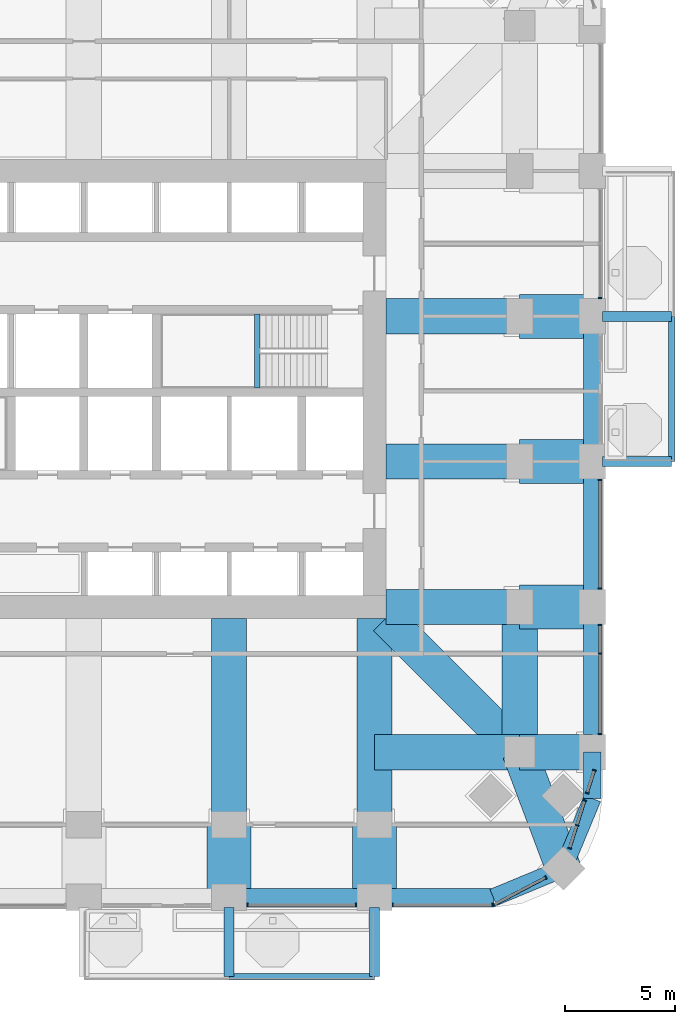
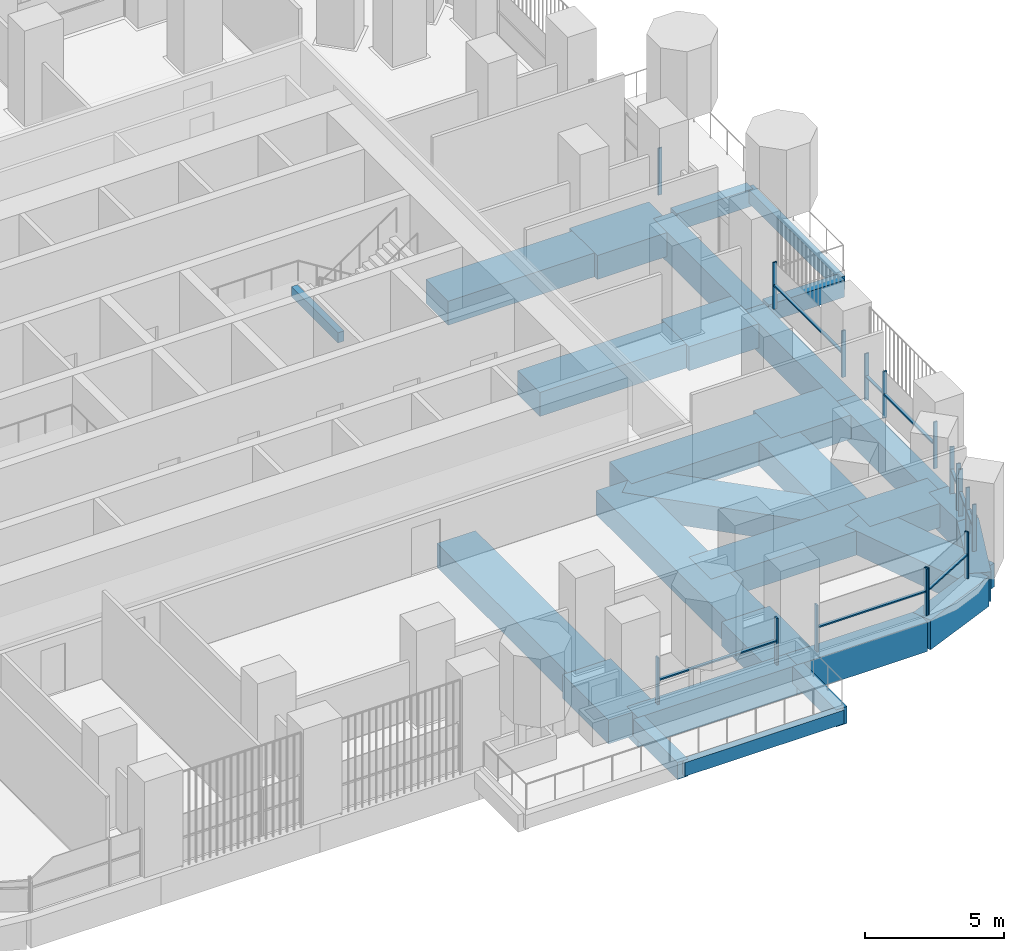
# One storey, part 5 of 22: 30 beams, 26 members, 8 elements without a shape of their own.
"""IFC4 building model written with IfcOpenShell, lengths in metres."""

from ifc_helpers import new_model, si_unit, direction, frame, origin, origin_2d, place, context, subcontext, project, spatial, rectangle, extrude, material, material_profile, profile_set, type_object, element, aggregate, save


model = new_model("IFC4")

# Units and contexts
model_context = context("Model", 3, precision=1e-05, world=origin(), true_north=direction((0.0, 1.0)))
body_context = subcontext(model_context, "Body", "Model", "MODEL_VIEW")
ifc_project = project(units=[si_unit("LENGTHUNIT", "METRE"), si_unit("AREAUNIT", "SQUARE_METRE"), si_unit("VOLUMEUNIT", "CUBIC_METRE"), si_unit("PLANEANGLEUNIT", "RADIAN"), si_unit("MASSUNIT", "GRAM", prefix="KILO")], contexts=[model_context])

# Site, building, storey
site_placement = place(None, origin())
site = spatial("IfcSite", under=ifc_project, at=site_placement, CompositionType="ELEMENT")
building_placement = place(site_placement, origin())
building = spatial("IfcBuilding", under=site, at=building_placement, Name="Cobogo Forest Laboratory Tower", CompositionType="ELEMENT")
storey_placement = place(building_placement, frame((0.0, 0.0, 145.199951171875)))
storey = spatial("IfcBuildingStorey", under=building, at=storey_placement, Name="L33", CompositionType="ELEMENT", Elevation=145.199951171875)

# Beams
ifc_material_1 = material(Name="Concrete HA-40 (C40/50)", Category="concrete")
ifc_material_profile_1 = material_profile(ifc_material_1, rectangle(XDim=0.449951171875, YDim=0.75, at=origin_2d()), Name="RC 450x750")
ifc_profile_set_1 = profile_set([ifc_material_profile_1], Name="Concrete HA-40 (C40/50)")
beam_type_1 = type_object("IfcBeamType", Name="Balcony cantilever beam 450x750", PredefinedType="BEAM", material=ifc_profile_set_1)
for number, where, z_axis, x_axis, name in (
    (1, (33.0, -0.449951171875, -0.625), (0.0, -1.0, 0.0), (1.0, 0.0, 0.0), "CB1 BAL-S1-C2 L33"),
    (2, (39.60009765625, -0.449951171875, -0.625), (0.0, -1.0, 0.0), (1.0, 0.0, 0.0), "CB1 BAL-S1-C3 L33"),
    (3, (49.949951171875, 19.800048828125, -0.625), (1.0, 0.0, 0.0), (0.0, 1.0, 0.0), "CB1 BAL-E1-C1 L33"),
    (4, (49.949951171875, 26.39990234375, -0.625), (1.0, 0.0, 0.0), (0.0, 1.0, 0.0), "CB1 BAL-E1-C2 L33"),
):
    element("IfcBeam", number, at=place(storey_placement, frame(where, z_axis=z_axis, x_axis=x_axis)), inside=storey, type_object=beam_type_1, Name=name, PredefinedType="BEAM", context=body_context, shape_type="SweptSolid", body=[
        extrude(rectangle(XDim=0.449951171875, YDim=0.75, at=origin_2d()), origin(), (0.0, 0.0, 1.0), 3.150146484375),
    ])
ifc_material_profile_2 = material_profile(ifc_material_1, rectangle(XDim=0.300048828125, YDim=0.60009765625, at=origin_2d()), Name="RC 300x600")
ifc_profile_set_2 = profile_set([ifc_material_profile_2], Name="Concrete HA-40 (C40/50)")
beam_type_2 = type_object("IfcBeamType", Name="Balcony edge beam 300x600", PredefinedType="BEAM", material=ifc_profile_set_2)
beam_1_placement = place(storey_placement, frame((33.0, -3.60009765625, -0.550048828125), z_axis=(1.0, 0.0, 0.0), x_axis=(0.0, 1.0, 0.0)))
element("IfcBeam", 5, at=beam_1_placement, inside=storey, type_object=beam_type_2, Name="BB1 BAL-S1-T2 L33", PredefinedType="BEAM", context=body_context, shape_type="SweptSolid", body=[
    extrude(rectangle(XDim=0.300048828125, YDim=0.60009765625, at=origin_2d()), origin(), (0.0, 0.0, 1.0), 6.60009765625),
])
beam_2_placement = place(storey_placement, frame((53.10009765625, 19.800048828125, -0.550048828125), z_axis=(0.0, 1.0, 0.0), x_axis=(-1.0, 0.0, 0.0)))
element("IfcBeam", 6, at=beam_2_placement, inside=storey, type_object=beam_type_2, Name="BB1 BAL-E1-T1 L33", PredefinedType="BEAM", context=body_context, shape_type="SweptSolid", body=[
    extrude(rectangle(XDim=0.300048828125, YDim=0.60009765625, at=origin_2d()), origin(), (0.0, 0.0, 1.0), 6.599853515625),
])
ifc_material_2 = material(Name="Concrete HA-50 (C50/60)", Category="concrete")
ifc_material_profile_3 = material_profile(ifc_material_2, rectangle(XDim=2.0, YDim=1.050048828125, at=origin_2d()), Name="RC 2000x1050")
ifc_profile_set_3 = profile_set([ifc_material_profile_3], Name="Concrete HA-50 (C50/60)")
beam_type_3 = type_object("IfcBeamType", Name="End-bay wide beam 2000x1050", PredefinedType="BEAM", material=ifc_profile_set_3)
for number, where, z_axis, x_axis, name in (
    (7, (33.0, 0.0, -0.824951171875), (0.0, 1.0, 0.0), (-1.0, 0.0, 0.0), "RB7 R-6-S-X L33"),
    (8, (39.60009765625, 0.0, -0.824951171875), (0.0, 1.0, 0.0), (-1.0, 0.0, 0.0), "RB7 R-7-S-X L33"),
    (9, (49.5, 13.199951171875, -0.824951171875), (-1.0, 0.0, 0.0), (0.0, -1.0, 0.0), "RB7 R-C-E-X L33"),
    (10, (49.5, 19.800048828125, -0.824951171875), (-1.0, 0.0, 0.0), (0.0, -1.0, 0.0), "RB7 R-D-E-X L33"),
    (11, (49.5, 26.39990234375, -0.824951171875), (-1.0, 0.0, 0.0), (0.0, -1.0, 0.0), "RB7 R-E-E-X L33"),
):
    element("IfcBeam", number, at=place(storey_placement, frame(where, z_axis=z_axis, x_axis=x_axis)), inside=storey, type_object=beam_type_3, Name=name, PredefinedType="BEAM", context=body_context, shape_type="SweptSolid", body=[
        extrude(rectangle(XDim=2.0, YDim=1.050048828125, at=origin_2d()), origin(), (0.0, 0.0, 1.0), 3.300048828125),
    ])
ifc_material_profile_4 = material_profile(ifc_material_1, rectangle(XDim=0.25, YDim=0.449951171875, at=origin_2d()), Name="RC 250x450")
ifc_profile_set_4 = profile_set([ifc_material_profile_4], Name="Concrete HA-40 (C40/50)")
beam_type_4 = type_object("IfcBeamType", Name="LB1 landing beam 250x450", PredefinedType="BEAM", material=ifc_profile_set_4)
beam_3_placement = place(storey_placement, frame((34.27001953125, 23.14990234375, 1.675048828125), z_axis=(0.0, 1.0, 0.0), x_axis=(-1.0, 0.0, 0.0)))
element("IfcBeam", 12, at=beam_3_placement, inside=storey, type_object=beam_type_4, Name="Landing beam ST2 L33", PredefinedType="BEAM", context=body_context, shape_type="SweptSolid", body=[
    extrude(rectangle(XDim=0.25, YDim=0.449951171875, at=origin_2d()), origin(), (0.0, 0.0, 1.0), 3.35009765625),
])
ifc_material_profile_5 = material_profile(ifc_material_2, rectangle(XDim=1.60009765625, YDim=1.050048828125, at=origin_2d()), Name="RC 1600x1050")
ifc_profile_set_5 = profile_set([ifc_material_profile_5], Name="Concrete HA-50 (C50/60)")
beam_type_5 = type_object("IfcBeamType", Name="Laboratory floor wide beam 1600x1050", PredefinedType="BEAM", material=ifc_profile_set_5)
for number, where, z_axis, x_axis, name in (
    (13, (33.0, 12.675048828125, -0.824951171875), (0.0, -1.0, 0.0), (1.0, 0.0, 0.0), "RB8 R-6-S L33"),
    (14, (39.60009765625, 12.675048828125, -0.824951171875), (0.0, -1.0, 0.0), (1.0, 0.0, 0.0), "RB8 R-7-S L33"),
):
    element("IfcBeam", number, at=place(storey_placement, frame(where, z_axis=z_axis, x_axis=x_axis)), inside=storey, type_object=beam_type_5, Name=name, PredefinedType="BEAM", context=body_context, shape_type="SweptSolid", body=[
        extrude(rectangle(XDim=1.60009765625, YDim=1.050048828125, at=origin_2d()), origin(), (0.0, 0.0, 1.0), 9.375),
    ])
for number, where, z_axis, x_axis, name in (
    (15, (40.125, 13.199951171875, -0.824951171875), (1.0, 0.0, 0.0), (0.0, 1.0, 0.0), "RB8 R-C-E L33"),
    (16, (40.125, 19.800048828125, -0.824951171875), (1.0, 0.0, 0.0), (0.0, 1.0, 0.0), "RB8 R-D-E L33"),
    (17, (40.125, 26.39990234375, -0.824951171875), (1.0, 0.0, 0.0), (0.0, 1.0, 0.0), "RB8 R-E-E L33"),
):
    element("IfcBeam", number, at=place(storey_placement, frame(where, z_axis=z_axis, x_axis=x_axis)), inside=storey, type_object=beam_type_5, Name=name, PredefinedType="BEAM", context=body_context, shape_type="SweptSolid", body=[
        extrude(rectangle(XDim=1.60009765625, YDim=1.050048828125, at=origin_2d()), origin(), (0.0, 0.0, 1.0), 6.074951171875),
    ])
beam_4_placement = place(storey_placement, frame((46.199951171875, 6.60009765625, -0.824951171875), z_axis=(0.0, 1.0, 0.0), x_axis=(-1.0, 0.0, 0.0)))
element("IfcBeam", 18, at=beam_4_placement, inside=storey, type_object=beam_type_5, Name="RB8 G-SE-XC L33", PredefinedType="BEAM", context=body_context, shape_type="SweptSolid", body=[
    extrude(rectangle(XDim=1.60009765625, YDim=1.050048828125, at=origin_2d()), origin(), (0.0, 0.0, 1.0), 6.599853515625),
])
beam_5_placement = place(storey_placement, frame((49.5, 6.60009765625, -0.824951171875), z_axis=(-1.0, 0.0, 0.0), x_axis=(0.0, -1.0, 0.0)))
element("IfcBeam", 19, at=beam_5_placement, inside=storey, type_object=beam_type_5, Name="RB8 G-SE-YF L33", PredefinedType="BEAM", context=body_context, shape_type="SweptSolid", body=[
    extrude(rectangle(XDim=1.60009765625, YDim=1.050048828125, at=origin_2d()), origin(), (0.0, 0.0, 1.0), 3.300048828125),
])
beam_6_placement = place(storey_placement, frame((46.199951171875, 6.60009765625, -0.824951171875), z_axis=(-1.0, 0.0, 0.0), x_axis=(0.0, -1.0, 0.0)))
element("IfcBeam", 20, at=beam_6_placement, inside=storey, type_object=beam_type_5, Name="RB8 G-SE-YC L33", PredefinedType="BEAM", context=body_context, shape_type="SweptSolid", body=[
    extrude(rectangle(XDim=1.60009765625, YDim=1.050048828125, at=origin_2d()), origin(), (0.0, 0.0, 1.0), 6.599853515625),
])
beam_7_placement = place(storey_placement, frame((48.181884765625, 1.318115234375, -0.824951171875), z_axis=(-0.351308391925, 0.936259800356, 0.0), x_axis=(-0.936259800356, -0.351308391925, 0.0)))
element("IfcBeam", 21, at=beam_7_placement, inside=storey, type_object=beam_type_5, Name="RB8 G-SE-D1 L33", PredefinedType="BEAM", context=body_context, shape_type="SweptSolid", body=[
    extrude(rectangle(XDim=1.60009765625, YDim=1.050048828125, at=origin_2d()), origin(), (0.0, 0.0, 1.0), 5.6416015625),
])
beam_8_placement = place(storey_placement, frame((46.199951171875, 6.60009765625, -0.824951171875), z_axis=(-0.707106781187, 0.707106781187, 0.0), x_axis=(-0.707106781187, -0.707106781187, 0.0)))
element("IfcBeam", 22, at=beam_8_placement, inside=storey, type_object=beam_type_5, Name="RB8 G-SE-D2 L33", PredefinedType="BEAM", context=body_context, shape_type="SweptSolid", body=[
    extrude(rectangle(XDim=1.60009765625, YDim=1.050048828125, at=origin_2d()), origin(), (0.0, 0.0, 1.0), 8.59130859375),
])

# Curtain wall, members
ifc_material_3 = material(Name="Aluminium curtain wall", Category="aluminium")
curtain_wall_type = type_object("IfcCurtainWallType", Name="CW-1 unitised curtain wall, clear glazing, laboratory floors zones A and B", PredefinedType="USERDEFINED", material=ifc_material_3)
curtain_wall_1_placement = place(storey_placement, origin())
curtain_wall_1 = element("IfcCurtainWall", 23, at=curtain_wall_1_placement, inside=storey, type_object=curtain_wall_type, Name="Curtain wall 05 L33", ObjectType="UNITISED CURTAIN WALL", PredefinedType="USERDEFINED")
ifc_material_4 = material(Name="Aluminium mullion", Category="aluminium")
ifc_material_profile_6 = material_profile(ifc_material_4, rectangle(XDim=0.06005859375, YDim=0.159912109375, at=origin_2d()), Name="AL 60x160")
ifc_profile_set_6 = profile_set([ifc_material_profile_6], Name="Aluminium mullion")
member_type_1 = type_object("IfcMemberType", Name="MU-1 aluminium mullion 60x160", PredefinedType="MULLION", material=ifc_profile_set_6)
member_1_placement = place(storey_placement, frame((33.830078125, -0.35009765625, 0.0), z_axis=(0.0, 0.0, 1.0), x_axis=(1.0, 0.0, 0.0)))
member_1 = element("IfcMember", 24, at=member_1_placement, type_object=member_type_1, Name="CW-1 mullion 1", PredefinedType="MULLION", context=body_context, shape_type="SweptSolid", body=[
    extrude(rectangle(XDim=0.06005859375, YDim=0.159912109375, at=origin_2d()), origin(), (0.0, 0.0, 1.0), 2.050048828125),
])
member_2_placement = place(storey_placement, frame((38.77001953125, -0.35009765625, 0.0), z_axis=(0.0, 0.0, 1.0), x_axis=(1.0, 0.0, 0.0)))
member_2 = element("IfcMember", 25, at=member_2_placement, type_object=member_type_1, Name="CW-1 mullion 2", PredefinedType="MULLION", context=body_context, shape_type="SweptSolid", body=[
    extrude(rectangle(XDim=0.06005859375, YDim=0.159912109375, at=origin_2d()), origin(), (0.0, 0.0, 1.0), 2.050048828125),
])

curtain_wall_2_placement = place(storey_placement, origin())
curtain_wall_2 = element("IfcCurtainWall", 26, at=curtain_wall_2_placement, inside=storey, type_object=curtain_wall_type, Name="Curtain wall 06 L33", ObjectType="UNITISED CURTAIN WALL", PredefinedType="USERDEFINED")
member_3_placement = place(storey_placement, frame((40.429931640625, -0.35009765625, 0.0), z_axis=(0.0, 0.0, 1.0), x_axis=(1.0, 0.0, 0.0)))
member_3 = element("IfcMember", 27, at=member_3_placement, type_object=member_type_1, Name="CW-1 mullion 1", PredefinedType="MULLION", context=body_context, shape_type="SweptSolid", body=[
    extrude(rectangle(XDim=0.06005859375, YDim=0.159912109375, at=origin_2d()), origin(), (0.0, 0.0, 1.0), 2.050048828125),
])
member_4_placement = place(storey_placement, frame((44.969970703125, -0.35009765625, 0.0), z_axis=(0.0, 0.0, 1.0), x_axis=(1.0, 0.0, 0.0)))
member_4 = element("IfcMember", 28, at=member_4_placement, type_object=member_type_1, Name="CW-1 mullion 2", PredefinedType="MULLION", context=body_context, shape_type="SweptSolid", body=[
    extrude(rectangle(XDim=0.06005859375, YDim=0.159912109375, at=origin_2d()), origin(), (0.0, 0.0, 1.0), 2.050048828125),
])

curtain_wall_3_placement = place(storey_placement, origin())
curtain_wall_3 = element("IfcCurtainWall", 29, at=curtain_wall_3_placement, inside=storey, type_object=curtain_wall_type, Name="Curtain wall 07 L33", ObjectType="UNITISED CURTAIN WALL", PredefinedType="USERDEFINED")
member_5_placement = place(storey_placement, frame((45.026611328125, -0.336181640625, 0.0), z_axis=(0.0, 0.0, 1.0), x_axis=(0.885686540666, 0.464283697413, 0.0)))
member_5 = element("IfcMember", 30, at=member_5_placement, type_object=member_type_1, Name="CW-1 mullion 1", PredefinedType="MULLION", context=body_context, shape_type="SweptSolid", body=[
    extrude(rectangle(XDim=0.06005859375, YDim=0.159912109375, at=origin_2d()), origin(), (0.0, 0.0, 1.0), 2.050048828125),
])
member_6_placement = place(storey_placement, frame((47.38525390625, 0.900390625, 0.0), z_axis=(0.0, 0.0, 1.0), x_axis=(0.885686540666, 0.464283697413, 0.0)))
member_6 = element("IfcMember", 31, at=member_6_placement, type_object=member_type_1, Name="CW-1 mullion 2", PredefinedType="MULLION", context=body_context, shape_type="SweptSolid", body=[
    extrude(rectangle(XDim=0.06005859375, YDim=0.159912109375, at=origin_2d()), origin(), (0.0, 0.0, 1.0), 2.050048828125),
])

curtain_wall_4_placement = place(storey_placement, origin())
curtain_wall_4 = element("IfcCurtainWall", 32, at=curtain_wall_4_placement, inside=storey, type_object=curtain_wall_type, Name="Curtain wall 08 L33", ObjectType="UNITISED CURTAIN WALL", PredefinedType="USERDEFINED")
member_7_placement = place(storey_placement, frame((48.47265625, 2.23876953125, 0.0), z_axis=(0.0, 0.0, 1.0), x_axis=(0.301135343623, 0.953581409645, 0.0)))
member_7 = element("IfcMember", 33, at=member_7_placement, type_object=member_type_1, Name="CW-1 mullion 1", PredefinedType="MULLION", context=body_context, shape_type="SweptSolid", body=[
    extrude(rectangle(XDim=0.06005859375, YDim=0.159912109375, at=origin_2d()), origin(), (0.0, 0.0, 1.0), 2.050048828125),
])
member_8_placement = place(storey_placement, frame((48.80029296875, 3.27587890625, 0.0), z_axis=(0.0, 0.0, 1.0), x_axis=(0.301135343623, 0.953581409645, 0.0)))
member_8 = element("IfcMember", 34, at=member_8_placement, type_object=member_type_1, Name="CW-1 mullion 2", PredefinedType="MULLION", context=body_context, shape_type="SweptSolid", body=[
    extrude(rectangle(XDim=0.06005859375, YDim=0.159912109375, at=origin_2d()), origin(), (0.0, 0.0, 1.0), 2.050048828125),
])
member_9_placement = place(storey_placement, frame((49.154296875, 4.39697265625, 0.0), z_axis=(0.0, 0.0, 1.0), x_axis=(0.301135343623, 0.953581409645, 0.0)))
member_9 = element("IfcMember", 35, at=member_9_placement, type_object=member_type_1, Name="CW-1 mullion 3", PredefinedType="MULLION", context=body_context, shape_type="SweptSolid", body=[
    extrude(rectangle(XDim=0.06005859375, YDim=0.159912109375, at=origin_2d()), origin(), (0.0, 0.0, 1.0), 2.050048828125),
])

curtain_wall_5_placement = place(storey_placement, origin())
curtain_wall_5 = element("IfcCurtainWall", 36, at=curtain_wall_5_placement, inside=storey, type_object=curtain_wall_type, Name="Curtain wall 09 L33", ObjectType="UNITISED CURTAIN WALL", PredefinedType="USERDEFINED")
member_10_placement = place(storey_placement, frame((49.2646484375, 4.74658203125, 0.0), z_axis=(0.0, 0.0, 1.0), x_axis=(0.3011355018, 0.953581359694, 0.0)))
member_10 = element("IfcMember", 37, at=member_10_placement, type_object=member_type_1, Name="CW-1 mullion 1", PredefinedType="MULLION", context=body_context, shape_type="SweptSolid", body=[
    extrude(rectangle(XDim=0.06005859375, YDim=0.159912109375, at=origin_2d()), origin(), (0.0, 0.0, 1.0), 2.050048828125),
])
member_11_placement = place(storey_placement, frame((49.58837890625, 5.771484375, 0.0), z_axis=(0.0, 0.0, 1.0), x_axis=(0.3011355018, 0.953581359694, 0.0)))
member_11 = element("IfcMember", 38, at=member_11_placement, type_object=member_type_1, Name="CW-1 mullion 2", PredefinedType="MULLION", context=body_context, shape_type="SweptSolid", body=[
    extrude(rectangle(XDim=0.06005859375, YDim=0.159912109375, at=origin_2d()), origin(), (0.0, 0.0, 1.0), 2.050048828125),
])

curtain_wall_6_placement = place(storey_placement, origin())
curtain_wall_6 = element("IfcCurtainWall", 39, at=curtain_wall_6_placement, inside=storey, type_object=curtain_wall_type, Name="Curtain wall 10 L33", ObjectType="UNITISED CURTAIN WALL", PredefinedType="USERDEFINED")
member_12_placement = place(storey_placement, frame((49.85009765625, 7.429931640625, 0.0), z_axis=(0.0, 0.0, 1.0), x_axis=(0.0, 1.0, 0.0)))
member_12 = element("IfcMember", 40, at=member_12_placement, type_object=member_type_1, Name="CW-1 mullion 1", PredefinedType="MULLION", context=body_context, shape_type="SweptSolid", body=[
    extrude(rectangle(XDim=0.06005859375, YDim=0.159912109375, at=origin_2d()), origin(), (0.0, 0.0, 1.0), 2.050048828125),
])
member_13_placement = place(storey_placement, frame((49.85009765625, 11.074951171875, 0.0), z_axis=(0.0, 0.0, 1.0), x_axis=(0.0, 1.0, 0.0)))
member_13 = element("IfcMember", 41, at=member_13_placement, type_object=member_type_1, Name="CW-1 mullion 2", PredefinedType="MULLION", context=body_context, shape_type="SweptSolid", body=[
    extrude(rectangle(XDim=0.06005859375, YDim=0.159912109375, at=origin_2d()), origin(), (0.0, 0.0, 1.0), 2.050048828125),
])
member_14_placement = place(storey_placement, frame((49.85009765625, 12.3701171875, 0.0), z_axis=(0.0, 0.0, 1.0), x_axis=(0.0, 1.0, 0.0)))
member_14 = element("IfcMember", 42, at=member_14_placement, type_object=member_type_1, Name="CW-1 mullion 3", PredefinedType="MULLION", context=body_context, shape_type="SweptSolid", body=[
    extrude(rectangle(XDim=0.06005859375, YDim=0.159912109375, at=origin_2d()), origin(), (0.0, 0.0, 1.0), 2.050048828125),
])

curtain_wall_7_placement = place(storey_placement, origin())
curtain_wall_7 = element("IfcCurtainWall", 43, at=curtain_wall_7_placement, inside=storey, type_object=curtain_wall_type, Name="Curtain wall 11 L33", ObjectType="UNITISED CURTAIN WALL", PredefinedType="USERDEFINED")
member_15_placement = place(storey_placement, frame((49.85009765625, 14.030029296875, 0.0), z_axis=(0.0, 0.0, 1.0), x_axis=(0.0, 1.0, 0.0)))
member_15 = element("IfcMember", 44, at=member_15_placement, type_object=member_type_1, Name="CW-1 mullion 1", PredefinedType="MULLION", context=body_context, shape_type="SweptSolid", body=[
    extrude(rectangle(XDim=0.06005859375, YDim=0.159912109375, at=origin_2d()), origin(), (0.0, 0.0, 1.0), 2.050048828125),
])
member_16_placement = place(storey_placement, frame((49.85009765625, 18.969970703125, 0.0), z_axis=(0.0, 0.0, 1.0), x_axis=(0.0, 1.0, 0.0)))
member_16 = element("IfcMember", 45, at=member_16_placement, type_object=member_type_1, Name="CW-1 mullion 2", PredefinedType="MULLION", context=body_context, shape_type="SweptSolid", body=[
    extrude(rectangle(XDim=0.06005859375, YDim=0.159912109375, at=origin_2d()), origin(), (0.0, 0.0, 1.0), 2.050048828125),
])

# Curtain wall, member
curtain_wall_8_placement = place(storey_placement, origin())
curtain_wall_8 = element("IfcCurtainWall", 46, at=curtain_wall_8_placement, inside=storey, type_object=curtain_wall_type, Name="Curtain wall 13 L33", ObjectType="UNITISED CURTAIN WALL", PredefinedType="USERDEFINED")
member_17_placement = place(storey_placement, frame((49.85009765625, 27.22998046875, 0.0), z_axis=(0.0, 0.0, 1.0), x_axis=(0.0, 1.0, 0.0)))
member_17 = element("IfcMember", 47, at=member_17_placement, type_object=member_type_1, Name="CW-1 mullion 1", PredefinedType="MULLION", context=body_context, shape_type="SweptSolid", body=[
    extrude(rectangle(XDim=0.06005859375, YDim=0.159912109375, at=origin_2d()), origin(), (0.0, 0.0, 1.0), 2.050048828125),
])
aggregate(curtain_wall_8, [member_17])

# Beams
ifc_material_profile_7 = material_profile(ifc_material_1, rectangle(XDim=0.800048828125, YDim=1.300048828125, at=origin_2d()), Name="RC 800x1300")
ifc_profile_set_7 = profile_set([ifc_material_profile_7], Name="Concrete HA-40 (C40/50)")
beam_type_6 = type_object("IfcBeamType", Name="Perimeter edge beam 800x1300", PredefinedType="BEAM", material=ifc_profile_set_7)
beam_9_placement = place(storey_placement, frame((33.0, 0.0, -0.949951171875), z_axis=(1.0, 0.0, 0.0), x_axis=(0.0, 1.0, 0.0)))
element("IfcBeam", 48, at=beam_9_placement, inside=storey, type_object=beam_type_6, Name="EB2 E-S4 L33", PredefinedType="BEAM", context=body_context, shape_type="SweptSolid", body=[
    extrude(rectangle(XDim=0.800048828125, YDim=1.300048828125, at=origin_2d()), origin(), (0.0, 0.0, 1.0), 6.60009765625),
])
beam_10_placement = place(storey_placement, frame((49.5, 6.60009765625, -0.949951171875), z_axis=(0.0, 1.0, 0.0), x_axis=(-1.0, 0.0, 0.0)))
element("IfcBeam", 49, at=beam_10_placement, inside=storey, type_object=beam_type_6, Name="EB2 E-E1 L33", PredefinedType="BEAM", context=body_context, shape_type="SweptSolid", body=[
    extrude(rectangle(XDim=0.800048828125, YDim=1.300048828125, at=origin_2d()), origin(), (0.0, 0.0, 1.0), 6.599853515625),
])
beam_11_placement = place(storey_placement, frame((49.5, 13.199951171875, -0.949951171875), z_axis=(0.0, 1.0, 0.0), x_axis=(-1.0, 0.0, 0.0)))
element("IfcBeam", 50, at=beam_11_placement, inside=storey, type_object=beam_type_6, Name="EB2 E-E2 L33", PredefinedType="BEAM", context=body_context, shape_type="SweptSolid", body=[
    extrude(rectangle(XDim=0.800048828125, YDim=1.300048828125, at=origin_2d()), origin(), (0.0, 0.0, 1.0), 6.60009765625),
])
beam_12_placement = place(storey_placement, frame((49.5, 19.800048828125, -0.949951171875), z_axis=(0.0, 1.0, 0.0), x_axis=(-1.0, 0.0, 0.0)))
element("IfcBeam", 51, at=beam_12_placement, inside=storey, type_object=beam_type_6, Name="EB2 E-E3 L33", PredefinedType="BEAM", context=body_context, shape_type="SweptSolid", body=[
    extrude(rectangle(XDim=0.800048828125, YDim=1.300048828125, at=origin_2d()), origin(), (0.0, 0.0, 1.0), 6.599853515625),
])
beam_13_placement = place(storey_placement, frame((39.60009765625, 0.0, -0.949951171875), z_axis=(1.0, 0.0, 0.0), x_axis=(0.0, 1.0, 0.0)))
element("IfcBeam", 52, at=beam_13_placement, inside=storey, type_object=beam_type_6, Name="EB2 E-SES1 L33", PredefinedType="BEAM", context=body_context, shape_type="SweptSolid", body=[
    extrude(rectangle(XDim=0.800048828125, YDim=1.300048828125, at=origin_2d()), origin(), (0.0, 0.0, 1.0), 5.39990234375),
])
beam_14_placement = place(storey_placement, frame((45.0, 0.0, -0.949951171875), z_axis=(0.923865631356, 0.382716990999, 0.0), x_axis=(-0.382716990999, 0.923865631356, 0.0)))
element("IfcBeam", 53, at=beam_14_placement, inside=storey, type_object=beam_type_6, Name="EB2 E-SES2 L33", PredefinedType="BEAM", context=body_context, shape_type="SweptSolid", body=[
    extrude(rectangle(XDim=0.800048828125, YDim=1.300048828125, at=origin_2d()), origin(), (0.0, 0.0, 1.0), 3.444091796875),
])
beam_15_placement = place(storey_placement, frame((49.5, 6.60009765625, -0.949951171875), z_axis=(0.0, -1.0, 0.0), x_axis=(1.0, 0.0, 0.0)))
element("IfcBeam", 54, at=beam_15_placement, inside=storey, type_object=beam_type_6, Name="EB2 E-SEE1 L33", PredefinedType="BEAM", context=body_context, shape_type="SweptSolid", body=[
    extrude(rectangle(XDim=0.800048828125, YDim=1.300048828125, at=origin_2d()), origin(), (0.0, 0.0, 1.0), 2.10009765625),
])
beam_16_placement = place(storey_placement, frame((49.5, 4.5, -0.949951171875), z_axis=(-0.382716990999, -0.923865631356, 0.0), x_axis=(0.923865631356, -0.382716990999, 0.0)))
element("IfcBeam", 55, at=beam_16_placement, inside=storey, type_object=beam_type_6, Name="EB2 E-SEE2 L33", PredefinedType="BEAM", context=body_context, shape_type="SweptSolid", body=[
    extrude(rectangle(XDim=0.800048828125, YDim=1.300048828125, at=origin_2d()), origin(), (0.0, 0.0, 1.0), 3.444091796875),
])

# Member
ifc_material_5 = material(Name="Aluminium transom", Category="aluminium")
ifc_material_profile_8 = material_profile(ifc_material_5, rectangle(XDim=0.1201171875, YDim=0.06005859375, at=origin_2d()), Name="AL 60x120")
ifc_profile_set_8 = profile_set([ifc_material_profile_8], Name="Aluminium transom")
member_type_2 = type_object("IfcMemberType", Name="TR-1 aluminium transom 60x120", PredefinedType="USERDEFINED", material=ifc_profile_set_8)
member_18_placement = place(storey_placement, frame((33.860107421875, -0.35009765625, 1.050048828125), z_axis=(1.0, 0.0, 0.0), x_axis=(0.0, 1.0, 0.0)))
member_18 = element("IfcMember", 56, at=member_18_placement, type_object=member_type_2, Name="CW-1 transom 1.1", ObjectType="TRANSOM", PredefinedType="USERDEFINED", context=body_context, shape_type="SweptSolid", body=[
    extrude(rectangle(XDim=0.1201171875, YDim=0.06005859375, at=origin_2d()), origin(), (0.0, 0.0, 1.0), 4.8798828125),
])

aggregate(curtain_wall_1, [member_1, member_2, member_18])

member_19_placement = place(storey_placement, frame((40.4599609375, -0.35009765625, 1.050048828125), z_axis=(1.0, 0.0, 0.0), x_axis=(0.0, 1.0, 0.0)))
member_19 = element("IfcMember", 57, at=member_19_placement, type_object=member_type_2, Name="CW-1 transom 1.1", ObjectType="TRANSOM", PredefinedType="USERDEFINED", context=body_context, shape_type="SweptSolid", body=[
    extrude(rectangle(XDim=0.1201171875, YDim=0.06005859375, at=origin_2d()), origin(), (0.0, 0.0, 1.0), 4.47998046875),
])

aggregate(curtain_wall_2, [member_3, member_4, member_19])

member_20_placement = place(storey_placement, frame((45.05322265625, -0.322021484375, 1.050048828125), z_axis=(0.885690136655, 0.464276837493, 0.0), x_axis=(-0.464276837493, 0.885690136655, 0.0)))
member_20 = element("IfcMember", 58, at=member_20_placement, type_object=member_type_2, Name="CW-1 transom 1.1", ObjectType="TRANSOM", PredefinedType="USERDEFINED", context=body_context, shape_type="SweptSolid", body=[
    extrude(rectangle(XDim=0.1201171875, YDim=0.06005859375, at=origin_2d()), origin(), (0.0, 0.0, 1.0), 2.60302734375),
])

aggregate(curtain_wall_3, [member_5, member_6, member_20])

member_21_placement = place(storey_placement, frame((48.481689453125, 2.267333984375, 1.050048828125), z_axis=(0.301222320394, 0.953553938535, 0.0), x_axis=(-0.953553938535, 0.301222320394, 0.0)))
member_21 = element("IfcMember", 59, at=member_21_placement, type_object=member_type_2, Name="CW-1 transom 1.1", ObjectType="TRANSOM", PredefinedType="USERDEFINED", context=body_context, shape_type="SweptSolid", body=[
    extrude(rectangle(XDim=0.1201171875, YDim=0.06005859375, at=origin_2d()), origin(), (0.0, 0.0, 1.0), 1.02783203125),
])

member_22_placement = place(storey_placement, frame((48.809326171875, 3.304443359375, 1.050048828125), z_axis=(0.301089478624, 0.953595892327, 0.0), x_axis=(-0.953595892327, 0.301089478624, 0.0)))
member_22 = element("IfcMember", 60, at=member_22_placement, type_object=member_type_2, Name="CW-1 transom 2.1", ObjectType="TRANSOM", PredefinedType="USERDEFINED", context=body_context, shape_type="SweptSolid", body=[
    extrude(rectangle(XDim=0.1201171875, YDim=0.06005859375, at=origin_2d()), origin(), (0.0, 0.0, 1.0), 1.11572265625),
])

aggregate(curtain_wall_4, [member_7, member_8, member_9, member_21, member_22])

member_23_placement = place(storey_placement, frame((49.273681640625, 4.775390625, 1.050048828125), z_axis=(0.301315651749, 0.953524450662, 0.0), x_axis=(-0.953524450662, 0.301315651749, 0.0)))
member_23 = element("IfcMember", 61, at=member_23_placement, type_object=member_type_2, Name="CW-1 transom 1.1", ObjectType="TRANSOM", PredefinedType="USERDEFINED", context=body_context, shape_type="SweptSolid", body=[
    extrude(rectangle(XDim=0.1201171875, YDim=0.06005859375, at=origin_2d()), origin(), (0.0, 0.0, 1.0), 1.014404296875),
])

aggregate(curtain_wall_5, [member_10, member_11, member_23])

member_24_placement = place(storey_placement, frame((49.85009765625, 7.4599609375, 1.050048828125), z_axis=(0.0, 1.0, 0.0), x_axis=(-1.0, 0.0, 0.0)))
member_24 = element("IfcMember", 62, at=member_24_placement, type_object=member_type_2, Name="CW-1 transom 1.1", ObjectType="TRANSOM", PredefinedType="USERDEFINED", context=body_context, shape_type="SweptSolid", body=[
    extrude(rectangle(XDim=0.1201171875, YDim=0.06005859375, at=origin_2d()), origin(), (0.0, 0.0, 1.0), 3.5849609375),
])

member_25_placement = place(storey_placement, frame((49.85009765625, 11.10498046875, 1.050048828125), z_axis=(0.0, 1.0, 0.0), x_axis=(-1.0, 0.0, 0.0)))
member_25 = element("IfcMember", 63, at=member_25_placement, type_object=member_type_2, Name="CW-1 transom 2.1", ObjectType="TRANSOM", PredefinedType="USERDEFINED", context=body_context, shape_type="SweptSolid", body=[
    extrude(rectangle(XDim=0.1201171875, YDim=0.06005859375, at=origin_2d()), origin(), (0.0, 0.0, 1.0), 1.235107421875),
])

aggregate(curtain_wall_6, [member_12, member_13, member_14, member_24, member_25])

member_26_placement = place(storey_placement, frame((49.85009765625, 14.06005859375, 1.050048828125), z_axis=(0.0, 1.0, 0.0), x_axis=(-1.0, 0.0, 0.0)))
member_26 = element("IfcMember", 64, at=member_26_placement, type_object=member_type_2, Name="CW-1 transom 1.1", ObjectType="TRANSOM", PredefinedType="USERDEFINED", context=body_context, shape_type="SweptSolid", body=[
    extrude(rectangle(XDim=0.1201171875, YDim=0.06005859375, at=origin_2d()), origin(), (0.0, 0.0, 1.0), 4.8798828125),
])

aggregate(curtain_wall_7, [member_15, member_16, member_26])

save(model, "model.ifc")
